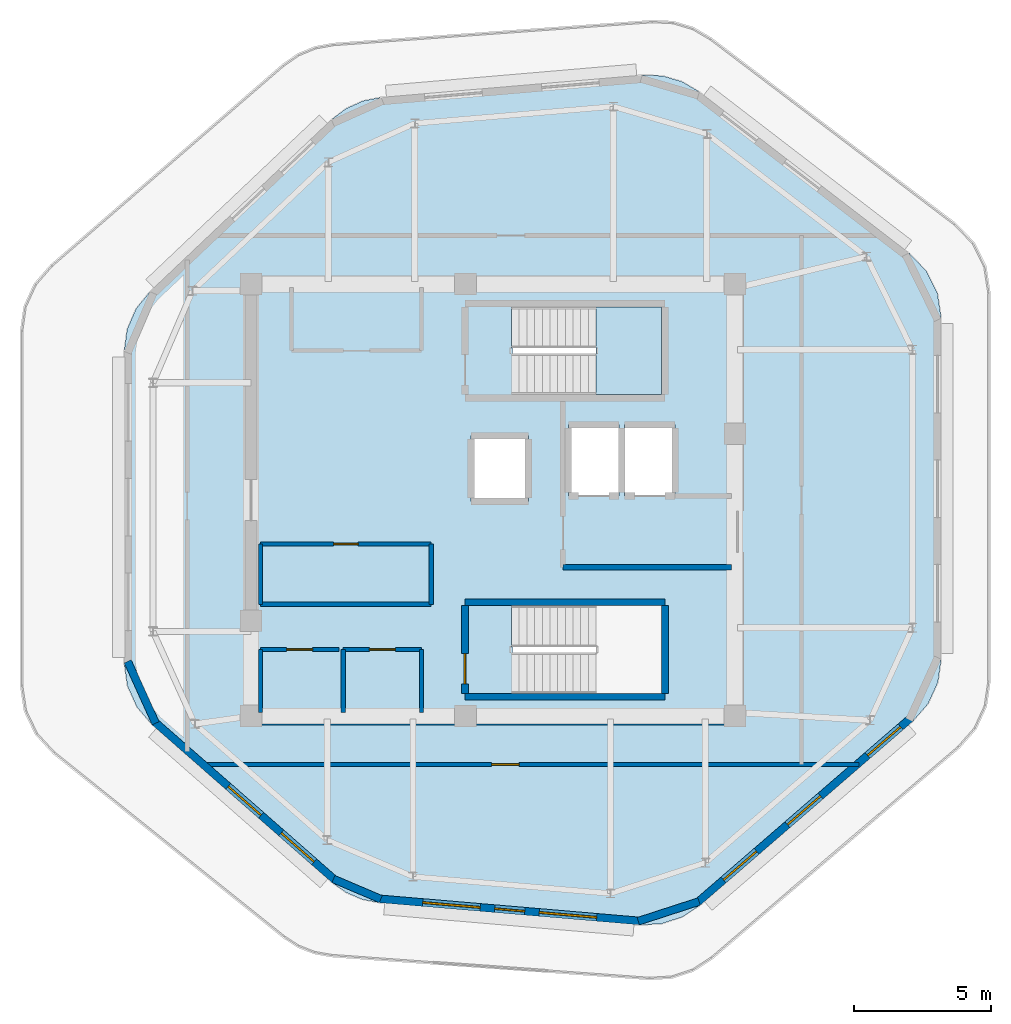
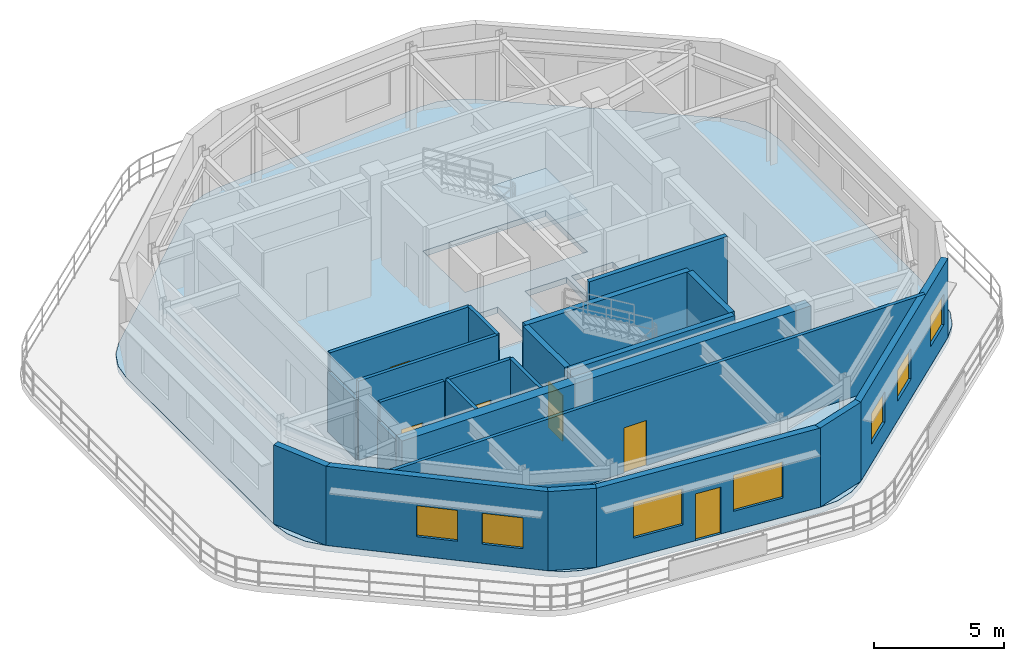
# One storey, part 2 of 7: 22 walls, 7 windows, 6 doors, 2 slabs, 13 openings, 1 element without a shape of its own.
"""IFC4 building model written with IfcOpenShell, lengths in metres."""

from ifc_helpers import new_model, si_unit, direction, frame, frame_2d, origin, place, context, subcontext, project, spatial, polyline, rectangle, outline, extrude, material, layer, layer_set, type_object, element, fill, aggregate, save


model = new_model("IFC4")

# Units and contexts
model_context = context("Model", 3, precision=1e-05, world=origin(), true_north=direction((0.0, 1.0)))
body_context = subcontext(model_context, "Body", "Model", "MODEL_VIEW")
ifc_project = project(units=[si_unit("LENGTHUNIT", "METRE"), si_unit("AREAUNIT", "SQUARE_METRE"), si_unit("VOLUMEUNIT", "CUBIC_METRE"), si_unit("PLANEANGLEUNIT", "RADIAN"), si_unit("MASSUNIT", "GRAM", prefix="KILO")], contexts=[model_context])

# Site, building, storey
site_placement = place(None, origin())
site = spatial("IfcSite", under=ifc_project, at=site_placement, CompositionType="ELEMENT")
building_placement = place(site_placement, origin())
building = spatial("IfcBuilding", under=site, at=building_placement, Name="Zulverin Broadcast Headquarters", CompositionType="ELEMENT")
storey_placement = place(building_placement, frame((0.0, 0.0, 329.39990234375)))
storey = spatial("IfcBuildingStorey", under=building, at=storey_placement, Name="C5", CompositionType="ELEMENT", Elevation=329.39990234375)

# Slab
ifc_material_1 = material(Name="Concrete C40/50", Category="concrete")
ifc_layer_1 = layer(ifc_material_1, 0.280029296875, Name="Concrete C40/50", Category="concrete")
ifc_layer_set_1 = layer_set([ifc_layer_1], Name="Concrete C40/50")
slab_type_1 = type_object("IfcSlabType", Name="SLB-CRN-280", PredefinedType="FLOOR", material=ifc_layer_set_1)
slab_1_placement = place(storey_placement, frame((0.0, 0.0, -0.27978515625)))
element("IfcSlab", 1, at=slab_1_placement, inside=storey, type_object=slab_type_1, Name="C5 Main Structural Floor Slab", PredefinedType="FLOOR", context=body_context, shape_type="SweptSolid", body=[
    extrude(outline(polyline([(33.57861328125, 11.25048828125), (34.0966796875, 10.885009765625), (34.68017578125, 10.63671875), (35.302490234375, 10.516357421875), (44.7958984375, 9.70751953125), (45.590576171875, 9.74560546875), (46.34716796875, 9.9912109375), (47.0126953125, 10.427001953125), (54.761962890625, 17.126708984375), (55.322509765625, 17.772216796875), (55.67822265625, 18.5498046875), (55.800048828125, 19.39599609375), (55.800048828125, 31.833984375), (55.661376953125, 32.7353515625), (55.25830078125, 33.553466796875), (54.6279296875, 34.212646484375), (46.97900390625, 40.0908203125), (46.342529296875, 40.465087890625), (45.634033203125, 40.6728515625), (44.896240234375, 40.701171875), (35.366455078125, 39.88916015625), (34.70751953125, 39.757568359375), (34.09423828125, 39.482421875), (33.5576171875, 39.07763671875), (26.9365234375, 32.803466796875), (26.42919921875, 32.172119140625), (26.109375, 31.42822265625), (26.0, 30.625732421875), (26.0, 19.2587890625), (26.119873046875, 18.419677734375), (26.469482421875, 17.6474609375), (27.021484375, 17.00390625), (33.57861328125, 11.25048828125)]), holes=[polyline([(40.155029296875, 30.75), (40.13037109375, 30.75), (40.13037109375, 32.25), (45.60009765625, 32.25), (45.60009765625, 29.050048828125), (40.155029296875, 29.050048828125), (40.155029296875, 30.75)]), polyline([(40.155029296875, 19.85009765625), (40.13037109375, 19.85009765625), (40.13037109375, 21.35009765625), (45.60009765625, 21.35009765625), (45.60009765625, 18.14990234375), (40.155029296875, 18.14990234375), (40.155029296875, 19.85009765625)]), polyline([(42.199951171875, 25.35009765625), (44.050048828125, 25.35009765625), (44.050048828125, 27.949951171875), (42.199951171875, 27.949951171875), (42.199951171875, 25.35009765625)]), polyline([(44.25, 25.35009765625), (46.10009765625, 25.35009765625), (46.10009765625, 27.949951171875), (44.25, 27.949951171875), (44.25, 25.35009765625)]), polyline([(38.64990234375, 25.14990234375), (40.75, 25.14990234375), (40.75, 27.550048828125), (38.64990234375, 27.550048828125), (38.64990234375, 25.14990234375)])]), origin(), (0.0, 0.0, 1.0), 0.27978515625),
])

# Stair, slab
stair_type = type_object("IfcStairType", Name="ST-CORE-1500", PredefinedType="HALF_TURN_STAIR", material=ifc_material_1)
stair_placement = place(storey_placement, origin())
stair = element("IfcStair", 2, at=stair_placement, inside=storey, type_object=stair_type, Name="C5 Core Exit Stair ST-1", PredefinedType="HALF_TURN_STAIR")
ifc_layer_2 = layer(ifc_material_1, 0.199951171875, Name="Concrete C40/50", Category="concrete")
ifc_layer_set_2 = layer_set([ifc_layer_2], Name="Concrete C40/50")
slab_type_2 = type_object("IfcSlabType", Name="SLB-ST-LND200", PredefinedType="LANDING", material=ifc_layer_set_2)
slab_2_placement = place(storey_placement, frame((0.0, 0.0, 1.800048828125)))
slab_2 = element("IfcSlab", 3, at=slab_2_placement, type_object=slab_type_2, Name="ST-1 landing 1", PredefinedType="LANDING", context=body_context, shape_type="SweptSolid", body=[
    extrude(outline(polyline([(43.2099609375, 29.050048828125), (45.60009765625, 29.050048828125), (45.60009765625, 32.25), (43.2099609375, 32.25), (43.2099609375, 29.050048828125)])), origin(), (0.0, 0.0, 1.0), 0.199951171875),
])
aggregate(stair, [slab_2])

# Wall
ifc_material_2 = material(Name="Concrete C50/60", Category="concrete")
ifc_layer_3 = layer(ifc_material_2, 0.449951171875, Name="Concrete C50/60", Category="concrete")
ifc_layer_set_3 = layer_set([ifc_layer_3], Name="Concrete C50/60")
wall_type_1 = type_object("IfcWallType", Name="WL-CORE-450", PredefinedType="SHEAR", material=ifc_layer_set_3)
wall_1_placement = place(storey_placement, frame((30.39990234375, 17.22509765625, 0.0), z_axis=(0.0, 0.0, 1.0), x_axis=(1.0, 0.0, 0.0)))
element("IfcWall", 4, at=wall_1_placement, inside=storey, type_object=wall_type_1, Name="C5 Core South Shear Wall", PredefinedType="SHEAR", context=body_context, shape_type="SweptSolid", body=[
    extrude(rectangle(XDim=18.2001953125, YDim=0.449951171875, at=frame_2d((9.10009765625, 0.0))), origin(), (0.0, 0.0, 1.0), 3.72021484375),
])

# Wall, openings, door, windows
ifc_material_3 = material(Name="Insulated pale-metal clad concrete spandrel C40/50", Category="concrete")
ifc_layer_4 = layer(ifc_material_3, 0.280029296875, Name="Insulated pale-metal clad concrete spandrel C40/50", Category="concrete")
ifc_layer_set_4 = layer_set([ifc_layer_4], Name="Insulated pale-metal clad concrete spandrel C40/50")
wall_type_2 = type_object("IfcWallType", Name="WL-EXT-280", PredefinedType="STANDARD", material=ifc_layer_set_4)
wall_2_placement = place(storey_placement, frame((35.314453125, 10.65576171875, 0.0), z_axis=(0.0, 0.0, 1.0), x_axis=(0.996390125679, -0.08489238746, 0.0)))
wall_2 = element("IfcWall", 5, at=wall_2_placement, inside=storey, type_object=wall_type_2, Name="C5 Pale-Metal Clad Spandrel Wall 1", PredefinedType="STANDARD", context=body_context, shape_type="SweptSolid", body=[
    extrude(rectangle(XDim=9.52783203125, YDim=0.280029296875, at=frame_2d((4.763916015625, 0.0))), origin(), (0.0, 0.0, 1.0), 3.72021484375),
])
opening_1_placement = place(wall_2_placement, frame((4.2138671875, 0.0, 0.0)))
opening_1 = element("IfcOpeningElement", 6, at=opening_1_placement, cuts=wall_2, Name="Opening D-C5-TR1", PredefinedType="OPENING", context=body_context, shape_type="SweptSolid", body=[
    extrude(rectangle(XDim=1.10009765625, YDim=2.199951171875, at=frame_2d((0.550048828125, 1.10009765625))), frame((0.0, 0.14990234375, 0.0), z_axis=(0.0, -1.0, 0.0), x_axis=(1.0, 0.0, 0.0)), (0.0, 0.0, 1.0), 0.300048828125),
])
opening_2_placement = place(wall_2_placement, frame((1.581787109375, 0.0, 0.89990234375)))
opening_2 = element("IfcOpeningElement", 7, at=opening_2_placement, cuts=wall_2, Name="Opening W-C5-E11", PredefinedType="OPENING", context=body_context, shape_type="SweptSolid", body=[
    extrude(rectangle(XDim=2.10009765625, YDim=1.699951171875, at=frame_2d((1.050048828125, 0.85009765625))), frame((0.0, 0.14990234375, 0.0), z_axis=(0.0, -1.0, 0.0), x_axis=(1.0, 0.0, 0.0)), (0.0, 0.0, 1.0), 0.300048828125),
])
opening_3_placement = place(wall_2_placement, frame((5.845703125, 0.0, 0.89990234375)))
opening_3 = element("IfcOpeningElement", 8, at=opening_3_placement, cuts=wall_2, Name="Opening W-C5-E12", PredefinedType="OPENING", context=body_context, shape_type="SweptSolid", body=[
    extrude(rectangle(XDim=2.10009765625, YDim=1.699951171875, at=frame_2d((1.050048828125, 0.85009765625))), frame((0.0, 0.14990234375, 0.0), z_axis=(0.0, -1.0, 0.0), x_axis=(1.0, 0.0, 0.0)), (0.0, 0.0, 1.0), 0.300048828125),
])
ifc_material_4 = material(Name="Thermally broken aluminium glazed", Category="aluminium")
door_type_1 = type_object("IfcDoorType", Name="DR-TERR-1100", OperationType="SINGLE_SWING_RIGHT", PredefinedType="DOOR", material=ifc_material_4)
door_1_placement = place(opening_1_placement, origin())
door_1 = element("IfcDoor", 9, at=door_1_placement, inside=storey, type_object=door_type_1, Name="C5 Planted Terrace Glazed Access Door 1", OperationType="SINGLE_SWING_RIGHT", OverallHeight=2.199951171875, OverallWidth=1.10009765625, PredefinedType="DOOR", context=body_context, shape_type="SweptSolid", body=[
    extrude(rectangle(XDim=1.10009765625, YDim=2.199951171875, at=frame_2d((0.550048828125, 1.10009765625))), frame((0.0, 0.02490234375, 0.0), z_axis=(0.0, -1.0, 0.0), x_axis=(1.0, 0.0, 0.0)), (0.0, 0.0, 1.0), 0.050048828125),
])
fill(opening_1, door_1)
ifc_material_5 = material(Name="Pale anodized aluminium frame with solar-control low-E double glazing", Category="aluminium")
window_type_1 = type_object("IfcWindowType", Name="WIN-CRN-2100", PartitioningType="SINGLE_PANEL", PredefinedType="WINDOW", material=ifc_material_5)
window_1_placement = place(opening_2_placement, origin())
window_1 = element("IfcWindow", 10, at=window_1_placement, inside=storey, type_object=window_type_1, Name="C5 Ribbon Glazing Window 1 1", OverallHeight=1.699951171875, OverallWidth=2.10009765625, PartitioningType="SINGLE_PANEL", PredefinedType="WINDOW", context=body_context, shape_type="SweptSolid", body=[
    extrude(rectangle(XDim=2.10009765625, YDim=1.699951171875, at=frame_2d((1.050048828125, 0.85009765625))), frame((0.0, 0.030029296875, 0.0), z_axis=(0.0, -1.0, 0.0), x_axis=(1.0, 0.0, 0.0)), (0.0, 0.0, 1.0), 0.06005859375),
])
fill(opening_2, window_1)
window_2_placement = place(opening_3_placement, origin())
window_2 = element("IfcWindow", 11, at=window_2_placement, inside=storey, type_object=window_type_1, Name="C5 Ribbon Glazing Window 1 2", OverallHeight=1.699951171875, OverallWidth=2.10009765625, PartitioningType="SINGLE_PANEL", PredefinedType="WINDOW", context=body_context, shape_type="SweptSolid", body=[
    extrude(rectangle(XDim=2.10009765625, YDim=1.699951171875, at=frame_2d((1.050048828125, 0.85009765625))), frame((0.0, 0.030029296875, 0.0), z_axis=(0.0, -1.0, 0.0), x_axis=(1.0, 0.0, 0.0)), (0.0, 0.0, 1.0), 0.06005859375),
])
fill(opening_3, window_2)

# Wall, openings, windows
wall_3_placement = place(storey_placement, frame((46.921142578125, 10.532958984375, 0.0), z_axis=(0.0, 0.0, 1.0), x_axis=(0.756489047049, 0.654006362121, 0.0)))
wall_3 = element("IfcWall", 12, at=wall_3_placement, inside=storey, type_object=wall_type_2, Name="C5 Pale-Metal Clad Spandrel Wall 2", PredefinedType="STANDARD", context=body_context, shape_type="SweptSolid", body=[
    extrude(rectangle(XDim=10.24365234375, YDim=0.280029296875, at=frame_2d((5.121826171875, 0.0))), origin(), (0.0, 0.0, 1.0), 3.72021484375),
])
opening_4_placement = place(wall_3_placement, frame((1.240478515625, 0.0, 0.89990234375)))
opening_4 = element("IfcOpeningElement", 13, at=opening_4_placement, cuts=wall_3, Name="Opening W-C5-E21", PredefinedType="OPENING", context=body_context, shape_type="SweptSolid", body=[
    extrude(rectangle(XDim=1.60009765625, YDim=1.449951171875, at=frame_2d((0.800048828125, 0.72509765625))), frame((0.0, 0.14990234375, 0.0), z_axis=(0.0, -1.0, 0.0), x_axis=(1.0, 0.0, 0.0)), (0.0, 0.0, 1.0), 0.300048828125),
])
opening_5_placement = place(wall_3_placement, frame((4.322021484375, 0.0, 0.89990234375)))
opening_5 = element("IfcOpeningElement", 14, at=opening_5_placement, cuts=wall_3, Name="Opening W-C5-E22", PredefinedType="OPENING", context=body_context, shape_type="SweptSolid", body=[
    extrude(rectangle(XDim=1.60009765625, YDim=1.449951171875, at=frame_2d((0.800048828125, 0.72509765625))), frame((0.0, 0.14990234375, 0.0), z_axis=(0.0, -1.0, 0.0), x_axis=(1.0, 0.0, 0.0)), (0.0, 0.0, 1.0), 0.300048828125),
])
opening_6_placement = place(wall_3_placement, frame((8.18310546875, 0.0, 0.89990234375)))
opening_6 = element("IfcOpeningElement", 15, at=opening_6_placement, cuts=wall_3, Name="Opening W-C5-E23", PredefinedType="OPENING", context=body_context, shape_type="SweptSolid", body=[
    extrude(rectangle(XDim=1.60009765625, YDim=1.449951171875, at=frame_2d((0.800048828125, 0.72509765625))), frame((0.0, 0.14990234375, 0.0), z_axis=(0.0, -1.0, 0.0), x_axis=(1.0, 0.0, 0.0)), (0.0, 0.0, 1.0), 0.300048828125),
])
window_type_2 = type_object("IfcWindowType", Name="WIN-CRN-1600", PartitioningType="SINGLE_PANEL", PredefinedType="WINDOW", material=ifc_material_5)
window_3_placement = place(opening_4_placement, origin())
window_3 = element("IfcWindow", 16, at=window_3_placement, inside=storey, type_object=window_type_2, Name="C5 Ribbon Glazing Window 2 1", OverallHeight=1.449951171875, OverallWidth=1.60009765625, PartitioningType="SINGLE_PANEL", PredefinedType="WINDOW", context=body_context, shape_type="SweptSolid", body=[
    extrude(rectangle(XDim=1.60009765625, YDim=1.449951171875, at=frame_2d((0.800048828125, 0.72509765625))), frame((0.0, 0.030029296875, 0.0), z_axis=(0.0, -1.0, 0.0), x_axis=(1.0, 0.0, 0.0)), (0.0, 0.0, 1.0), 0.06005859375),
])
fill(opening_4, window_3)
window_4_placement = place(opening_5_placement, origin())
window_4 = element("IfcWindow", 17, at=window_4_placement, inside=storey, type_object=window_type_2, Name="C5 Ribbon Glazing Window 2 2", OverallHeight=1.449951171875, OverallWidth=1.60009765625, PartitioningType="SINGLE_PANEL", PredefinedType="WINDOW", context=body_context, shape_type="SweptSolid", body=[
    extrude(rectangle(XDim=1.60009765625, YDim=1.449951171875, at=frame_2d((0.800048828125, 0.72509765625))), frame((0.0, 0.030029296875, 0.0), z_axis=(0.0, -1.0, 0.0), x_axis=(1.0, 0.0, 0.0)), (0.0, 0.0, 1.0), 0.06005859375),
])
fill(opening_5, window_4)
window_5_placement = place(opening_6_placement, origin())
window_5 = element("IfcWindow", 18, at=window_5_placement, inside=storey, type_object=window_type_2, Name="C5 Ribbon Glazing Window 2 3", OverallHeight=1.449951171875, OverallWidth=1.60009765625, PartitioningType="SINGLE_PANEL", PredefinedType="WINDOW", context=body_context, shape_type="SweptSolid", body=[
    extrude(rectangle(XDim=1.60009765625, YDim=1.449951171875, at=frame_2d((0.800048828125, 0.72509765625))), frame((0.0, 0.030029296875, 0.0), z_axis=(0.0, -1.0, 0.0), x_axis=(1.0, 0.0, 0.0)), (0.0, 0.0, 1.0), 0.06005859375),
])
fill(opening_6, window_5)

wall_4_placement = place(storey_placement, frame((27.11376953125, 17.10888671875, 0.0), z_axis=(0.0, 0.0, 1.0), x_axis=(0.751684867815, -0.659522448062, 0.0)))
wall_4 = element("IfcWall", 19, at=wall_4_placement, inside=storey, type_object=wall_type_2, Name="C5 Pale-Metal Clad Spandrel Wall 8", PredefinedType="STANDARD", context=body_context, shape_type="SweptSolid", body=[
    extrude(rectangle(XDim=8.72314453125, YDim=0.280029296875, at=frame_2d((4.361572265625, 0.0))), origin(), (0.0, 0.0, 1.0), 3.72021484375),
])
opening_7_placement = place(wall_4_placement, frame((3.561767578125, 0.0, 0.89990234375)))
opening_7 = element("IfcOpeningElement", 20, at=opening_7_placement, cuts=wall_4, Name="Opening W-C5-E81", PredefinedType="OPENING", context=body_context, shape_type="SweptSolid", body=[
    extrude(rectangle(XDim=1.60009765625, YDim=1.449951171875, at=frame_2d((0.800048828125, 0.72509765625))), frame((0.0, 0.14990234375, 0.0), z_axis=(0.0, -1.0, 0.0), x_axis=(1.0, 0.0, 0.0)), (0.0, 0.0, 1.0), 0.300048828125),
])
opening_8_placement = place(wall_4_placement, frame((6.13623046875, 0.0, 0.89990234375)))
opening_8 = element("IfcOpeningElement", 21, at=opening_8_placement, cuts=wall_4, Name="Opening W-C5-E82", PredefinedType="OPENING", context=body_context, shape_type="SweptSolid", body=[
    extrude(rectangle(XDim=1.60009765625, YDim=1.449951171875, at=frame_2d((0.800048828125, 0.72509765625))), frame((0.0, 0.14990234375, 0.0), z_axis=(0.0, -1.0, 0.0), x_axis=(1.0, 0.0, 0.0)), (0.0, 0.0, 1.0), 0.300048828125),
])
window_6_placement = place(opening_7_placement, origin())
window_6 = element("IfcWindow", 22, at=window_6_placement, inside=storey, type_object=window_type_2, Name="C5 Ribbon Glazing Window 8 1", OverallHeight=1.449951171875, OverallWidth=1.60009765625, PartitioningType="SINGLE_PANEL", PredefinedType="WINDOW", context=body_context, shape_type="SweptSolid", body=[
    extrude(rectangle(XDim=1.60009765625, YDim=1.449951171875, at=frame_2d((0.800048828125, 0.72509765625))), frame((0.0, 0.030029296875, 0.0), z_axis=(0.0, -1.0, 0.0), x_axis=(1.0, 0.0, 0.0)), (0.0, 0.0, 1.0), 0.06005859375),
])
fill(opening_7, window_6)
window_7_placement = place(opening_8_placement, origin())
window_7 = element("IfcWindow", 23, at=window_7_placement, inside=storey, type_object=window_type_2, Name="C5 Ribbon Glazing Window 8 2", OverallHeight=1.449951171875, OverallWidth=1.60009765625, PartitioningType="SINGLE_PANEL", PredefinedType="WINDOW", context=body_context, shape_type="SweptSolid", body=[
    extrude(rectangle(XDim=1.60009765625, YDim=1.449951171875, at=frame_2d((0.800048828125, 0.72509765625))), frame((0.0, 0.030029296875, 0.0), z_axis=(0.0, -1.0, 0.0), x_axis=(1.0, 0.0, 0.0)), (0.0, 0.0, 1.0), 0.06005859375),
])
fill(opening_8, window_7)

# Walls
wall_5_placement = place(storey_placement, frame((44.752685546875, 9.840576171875, 0.0), z_axis=(0.0, 0.0, 1.0), x_axis=(0.951126400132, 0.308801831232, 0.0)))
element("IfcWall", 24, at=wall_5_placement, inside=storey, type_object=wall_type_2, Name="C5 Wind-Shaped Corner Spandrel Wall 1-1", PredefinedType="STANDARD", context=body_context, shape_type="SweptSolid", body=[
    extrude(rectangle(XDim=2.330810546875, YDim=0.280029296875, at=frame_2d((1.16552734375, 0.0))), origin(), (0.0, 0.0, 1.0), 3.72021484375),
])
wall_6_placement = place(storey_placement, frame((26.12744140625, 19.316650390625, 0.0), z_axis=(0.0, 0.0, 1.0), x_axis=(0.412606370101, -0.910909426536, 0.0)))
element("IfcWall", 25, at=wall_6_placement, inside=storey, type_object=wall_type_2, Name="C5 Wind-Shaped Corner Spandrel Wall 7-1", PredefinedType="STANDARD", context=body_context, shape_type="SweptSolid", body=[
    extrude(rectangle(XDim=2.4755859375, YDim=0.280029296875, at=frame_2d((1.23779296875, 0.0))), origin(), (0.0, 0.0, 1.0), 3.72021484375),
])
wall_7_placement = place(storey_placement, frame((33.633544921875, 11.379150390625, 0.0), z_axis=(0.0, 0.0, 1.0), x_axis=(0.920045725698, -0.391811003707, 0.0)))
element("IfcWall", 26, at=wall_7_placement, inside=storey, type_object=wall_type_2, Name="C5 Wind-Shaped Corner Spandrel Wall 8-1", PredefinedType="STANDARD", context=body_context, shape_type="SweptSolid", body=[
    extrude(rectangle(XDim=1.873779296875, YDim=0.280029296875, at=frame_2d((0.93701171875, 0.0))), origin(), (0.0, 0.0, 1.0), 3.72021484375),
])
ifc_layer_5 = layer(ifc_material_1, 0.199951171875, Name="Concrete C40/50", Category="concrete")
ifc_layer_set_5 = layer_set([ifc_layer_5], Name="Concrete C40/50")
wall_type_3 = type_object("IfcWallType", Name="WL-FFL-200", PredefinedType="SOLIDWALL", material=ifc_layer_set_5)
wall_8_placement = place(storey_placement, frame((42.0, 22.75, 0.0), z_axis=(0.0, 0.0, 1.0), x_axis=(1.0, 0.0, 0.0)))
element("IfcWall", 27, at=wall_8_placement, inside=storey, type_object=wall_type_3, Name="C5 Firefighting Lift Lobby South Wall", PredefinedType="SOLIDWALL", context=body_context, shape_type="SweptSolid", body=[
    extrude(rectangle(XDim=6.14990234375, YDim=0.199951171875, at=frame_2d((3.074951171875, 0.0))), origin(), (0.0, 0.0, 1.0), 3.72021484375),
])

# Wall, opening, door
ifc_material_6 = material(Name="Fire-rated gypsum stud partition", Category="gypsum")
ifc_layer_6 = layer(ifc_material_6, 0.14990234375, Name="Fire-rated gypsum stud partition", Category="gypsum")
ifc_layer_set_6 = layer_set([ifc_layer_6], Name="Fire-rated gypsum stud partition")
wall_type_4 = type_object("IfcWallType", Name="WL-PART-150", PredefinedType="PARTITIONING", material=ifc_layer_set_6)
wall_9_placement = place(storey_placement, frame((30.969970703125, 19.75, 0.0), z_axis=(0.0, 0.0, 1.0), x_axis=(1.0, 0.0, 0.0)))
wall_9 = element("IfcWall", 28, at=wall_9_placement, inside=storey, type_object=wall_type_4, Name="C5 Core Male WC Front Wall", PredefinedType="PARTITIONING", context=body_context, shape_type="SweptSolid", body=[
    extrude(rectangle(XDim=2.860107421875, YDim=0.14990234375, at=frame_2d((1.43017578125, 0.0))), origin(), (0.0, 0.0, 1.0), 3.72021484375),
])
opening_9_placement = place(wall_9_placement, frame((0.955078125, 0.0, 0.0)))
opening_9 = element("IfcOpeningElement", 29, at=opening_9_placement, cuts=wall_9, Name="Opening D-C5-SC1", PredefinedType="OPENING", context=body_context, shape_type="SweptSolid", body=[
    extrude(rectangle(XDim=0.949951171875, YDim=2.10009765625, at=frame_2d((0.47509765625, 1.050048828125))), frame((0.0, 0.0849609375, 0.0), z_axis=(0.0, -1.0, 0.0), x_axis=(1.0, 0.0, 0.0)), (0.0, 0.0, 1.0), 0.169921875),
])
ifc_material_7 = material(Name="Fire-rated moisture-resistant laminate leaf", Category="wood")
door_type_2 = type_object("IfcDoorType", Name="DR-WC-950", OperationType="SINGLE_SWING_LEFT", PredefinedType="DOOR", material=ifc_material_7)
door_2_placement = place(opening_9_placement, origin())
door_2 = element("IfcDoor", 30, at=door_2_placement, inside=storey, type_object=door_type_2, Name="C5 Male WC Door", OperationType="SINGLE_SWING_LEFT", OverallHeight=2.10009765625, OverallWidth=0.949951171875, PredefinedType="DOOR", context=body_context, shape_type="SweptSolid", body=[
    extrude(rectangle(XDim=0.949951171875, YDim=2.10009765625, at=frame_2d((0.47509765625, 1.050048828125))), frame((0.0, 0.02490234375, 0.0), z_axis=(0.0, -1.0, 0.0), x_axis=(1.0, 0.0, 0.0)), (0.0, 0.0, 1.0), 0.050048828125),
])
fill(opening_9, door_2)

# Wall
wall_10_placement = place(storey_placement, frame((30.969970703125, 17.449951171875, 0.0), z_axis=(0.0, 0.0, 1.0), x_axis=(0.0, 1.0, 0.0)))
element("IfcWall", 31, at=wall_10_placement, inside=storey, type_object=wall_type_4, Name="C5 Core Male WC West Wall", PredefinedType="PARTITIONING", context=body_context, shape_type="SweptSolid", body=[
    extrude(rectangle(XDim=2.300048828125, YDim=0.14990234375, at=frame_2d((1.14990234375, 0.0))), origin(), (0.0, 0.0, 1.0), 2.820068359375),
])

# Wall, opening, door
wall_11_placement = place(storey_placement, frame((33.989990234375, 19.75, 0.0), z_axis=(0.0, 0.0, 1.0), x_axis=(1.0, 0.0, 0.0)))
wall_11 = element("IfcWall", 32, at=wall_11_placement, inside=storey, type_object=wall_type_4, Name="C5 Core Female WC Front Wall", PredefinedType="PARTITIONING", context=body_context, shape_type="SweptSolid", body=[
    extrude(rectangle(XDim=2.860107421875, YDim=0.14990234375, at=frame_2d((1.43017578125, 0.0))), origin(), (0.0, 0.0, 1.0), 3.72021484375),
])
opening_10_placement = place(wall_11_placement, frame((0.955078125, 0.0, 0.0)))
opening_10 = element("IfcOpeningElement", 33, at=opening_10_placement, cuts=wall_11, Name="Opening D-C5-SC2", PredefinedType="OPENING", context=body_context, shape_type="SweptSolid", body=[
    extrude(rectangle(XDim=0.949951171875, YDim=2.10009765625, at=frame_2d((0.47509765625, 1.050048828125))), frame((0.0, 0.0849609375, 0.0), z_axis=(0.0, -1.0, 0.0), x_axis=(1.0, 0.0, 0.0)), (0.0, 0.0, 1.0), 0.169921875),
])
door_3_placement = place(opening_10_placement, origin())
door_3 = element("IfcDoor", 34, at=door_3_placement, inside=storey, type_object=door_type_2, Name="C5 Female WC Door", OperationType="SINGLE_SWING_RIGHT", OverallHeight=2.10009765625, OverallWidth=0.949951171875, PredefinedType="DOOR", context=body_context, shape_type="SweptSolid", body=[
    extrude(rectangle(XDim=0.949951171875, YDim=2.10009765625, at=frame_2d((0.47509765625, 1.050048828125))), frame((0.0, 0.02490234375, 0.0), z_axis=(0.0, -1.0, 0.0), x_axis=(1.0, 0.0, 0.0)), (0.0, 0.0, 1.0), 0.050048828125),
])
fill(opening_10, door_3)

# Walls
for number, where, z_axis, x_axis, name in (
    (35, (33.989990234375, 17.449951171875, 0.0), (0.0, 0.0, 1.0), (0.0, 1.0, 0.0), "C5 Core Female WC West Wall"),
    (36, (36.85009765625, 17.449951171875, 0.0), (0.0, 0.0, 1.0), (0.0, 1.0, 0.0), "C5 Core Female WC East Wall"),
):
    element("IfcWall", number, at=place(storey_placement, frame(where, z_axis=z_axis, x_axis=x_axis)), inside=storey, type_object=wall_type_4, Name=name, PredefinedType="PARTITIONING", context=body_context, shape_type="SweptSolid", body=[
        extrude(rectangle(XDim=2.300048828125, YDim=0.14990234375, at=frame_2d((1.14990234375, 0.0))), origin(), (0.0, 0.0, 1.0), 3.72021484375),
    ])
wall_12_placement = place(storey_placement, frame((30.969970703125, 21.39990234375, 0.0), z_axis=(0.0, 0.0, 1.0), x_axis=(1.0, 0.0, 0.0)))
element("IfcWall", 37, at=wall_12_placement, inside=storey, type_object=wall_type_4, Name="C5 Optical Telemetry Hub Plant Room S Wall", PredefinedType="PARTITIONING", context=body_context, shape_type="SweptSolid", body=[
    extrude(rectangle(XDim=6.22998046875, YDim=0.14990234375, at=frame_2d((3.114990234375, 0.0))), origin(), (0.0, 0.0, 1.0), 3.72021484375),
])

# Wall, opening, door
wall_13_placement = place(storey_placement, frame((30.969970703125, 23.60009765625, 0.0), z_axis=(0.0, 0.0, 1.0), x_axis=(1.0, 0.0, 0.0)))
wall_13 = element("IfcWall", 38, at=wall_13_placement, inside=storey, type_object=wall_type_4, Name="C5 Optical Telemetry Hub Plant Room N Wall", PredefinedType="PARTITIONING", context=body_context, shape_type="SweptSolid", body=[
    extrude(rectangle(XDim=6.22998046875, YDim=0.14990234375, at=frame_2d((3.114990234375, 0.0))), origin(), (0.0, 0.0, 1.0), 3.72021484375),
])
opening_11_placement = place(wall_13_placement, frame((2.6650390625, 0.0, 0.0)))
opening_11 = element("IfcOpeningElement", 39, at=opening_11_placement, cuts=wall_13, Name="Opening D-C5-RM1", PredefinedType="OPENING", context=body_context, shape_type="SweptSolid", body=[
    extrude(rectangle(XDim=0.89990234375, YDim=2.10009765625, at=frame_2d((0.449951171875, 1.050048828125))), frame((0.0, 0.0849609375, 0.0), z_axis=(0.0, -1.0, 0.0), x_axis=(1.0, 0.0, 0.0)), (0.0, 0.0, 1.0), 0.169921875),
])
ifc_material_8 = material(Name="Powder-coated steel access leaf", Category="steel")
door_type_3 = type_object("IfcDoorType", Name="DR-RISER-900", OperationType="SINGLE_SWING_LEFT", PredefinedType="DOOR", material=ifc_material_8)
door_4_placement = place(opening_11_placement, origin())
door_4 = element("IfcDoor", 40, at=door_4_placement, inside=storey, type_object=door_type_3, Name="C5 Optical Telemetry Hub Plant Room Door", OperationType="SINGLE_SWING_LEFT", OverallHeight=2.10009765625, OverallWidth=0.89990234375, PredefinedType="DOOR", context=body_context, shape_type="SweptSolid", body=[
    extrude(rectangle(XDim=0.89990234375, YDim=2.10009765625, at=frame_2d((0.449951171875, 1.050048828125))), frame((0.0, 0.02490234375, 0.0), z_axis=(0.0, -1.0, 0.0), x_axis=(1.0, 0.0, 0.0)), (0.0, 0.0, 1.0), 0.050048828125),
])
fill(opening_11, door_4)

# Walls
wall_14_placement = place(storey_placement, frame((30.969970703125, 21.39990234375, 0.0), z_axis=(0.0, 0.0, 1.0), x_axis=(0.0, 1.0, 0.0)))
element("IfcWall", 41, at=wall_14_placement, inside=storey, type_object=wall_type_4, Name="C5 Optical Telemetry Hub Plant Room W Wall", PredefinedType="PARTITIONING", context=body_context, shape_type="SweptSolid", body=[
    extrude(rectangle(XDim=2.2001953125, YDim=0.14990234375, at=frame_2d((1.10009765625, 0.0))), origin(), (0.0, 0.0, 1.0), 2.820068359375),
])
wall_15_placement = place(storey_placement, frame((37.199951171875, 21.39990234375, 0.0), z_axis=(0.0, 0.0, 1.0), x_axis=(0.0, 1.0, 0.0)))
element("IfcWall", 42, at=wall_15_placement, inside=storey, type_object=wall_type_4, Name="C5 Optical Telemetry Hub Plant Room E Wall", PredefinedType="PARTITIONING", context=body_context, shape_type="SweptSolid", body=[
    extrude(rectangle(XDim=2.2001953125, YDim=0.14990234375, at=frame_2d((1.10009765625, 0.0))), origin(), (0.0, 0.0, 1.0), 3.72021484375),
])

# Wall, opening, door
wall_16_placement = place(storey_placement, frame((28.818359375, 15.550048828125, 0.0), z_axis=(0.0, 0.0, 1.0), x_axis=(1.0, 0.0, 0.0)))
wall_16 = element("IfcWall", 43, at=wall_16_placement, inside=storey, type_object=wall_type_4, Name="C5 Gallery Partition Wall CG-03", PredefinedType="PARTITIONING", context=body_context, shape_type="SweptSolid", body=[
    extrude(rectangle(XDim=23.97998046875, YDim=0.14990234375, at=frame_2d((11.989990234375, 0.0))), origin(), (0.0, 0.0, 1.0), 3.72021484375),
])
opening_12_placement = place(wall_16_placement, frame((10.583251953125, 0.0, 0.0)))
opening_12 = element("IfcOpeningElement", 44, at=opening_12_placement, cuts=wall_16, Name="Opening D-C5-CR4", PredefinedType="OPENING", context=body_context, shape_type="SweptSolid", body=[
    extrude(rectangle(XDim=1.0, YDim=2.1201171875, at=frame_2d((0.5, 1.06005859375))), frame((0.0, 0.0849609375, 0.0), z_axis=(0.0, -1.0, 0.0), x_axis=(1.0, 0.0, 0.0)), (0.0, 0.0, 1.0), 0.169921875),
])
ifc_material_9 = material(Name="Hardwood veneer acoustic leaf", Category="wood")
door_type_4 = type_object("IfcDoorType", Name="DR-OFF-1000", OperationType="SINGLE_SWING_LEFT", PredefinedType="DOOR", material=ifc_material_9)
door_5_placement = place(opening_12_placement, origin())
door_5 = element("IfcDoor", 45, at=door_5_placement, inside=storey, type_object=door_type_4, Name="C5 Microwave & Satellite Link Plant Room Door", OperationType="SINGLE_SWING_LEFT", OverallHeight=2.1201171875, OverallWidth=1.0, PredefinedType="DOOR", context=body_context, shape_type="SweptSolid", body=[
    extrude(rectangle(XDim=1.0, YDim=2.1201171875, at=frame_2d((0.5, 1.06005859375))), frame((0.0, 0.02490234375, 0.0), z_axis=(0.0, -1.0, 0.0), x_axis=(1.0, 0.0, 0.0)), (0.0, 0.0, 1.0), 0.050048828125),
])
fill(opening_12, door_5)

# Walls
ifc_layer_7 = layer(ifc_material_2, 0.25, Name="Concrete C50/60", Category="concrete")
ifc_layer_set_7 = layer_set([ifc_layer_7], Name="Concrete C50/60")
wall_type_5 = type_object("IfcWallType", Name="WL-SHAFT-250", PredefinedType="SHEAR", material=ifc_layer_set_7)
for number, where, z_axis, x_axis, name in (
    (46, (38.425048828125, 18.02490234375, 0.0), (0.0, 0.0, 1.0), (1.0, 0.0, 0.0), "C5 ST-2 Enclosure Wall S"),
    (47, (38.425048828125, 21.47509765625, 0.0), (0.0, 0.0, 1.0), (1.0, 0.0, 0.0), "C5 ST-2 Enclosure Wall N"),
):
    element("IfcWall", number, at=place(storey_placement, frame(where, z_axis=z_axis, x_axis=x_axis)), inside=storey, type_object=wall_type_5, Name=name, PredefinedType="SHEAR", context=body_context, shape_type="SweptSolid", body=[
        extrude(rectangle(XDim=7.300048828125, YDim=0.25, at=frame_2d((3.64990234375, 0.0))), origin(), (0.0, 0.0, 1.0), 3.72021484375),
    ])

# Wall, opening, door
wall_17_placement = place(storey_placement, frame((38.425048828125, 18.14990234375, 0.0), z_axis=(0.0, 0.0, 1.0), x_axis=(0.0, 1.0, 0.0)))
wall_17 = element("IfcWall", 48, at=wall_17_placement, inside=storey, type_object=wall_type_5, Name="C5 ST-2 Enclosure Wall W", PredefinedType="SHEAR", context=body_context, shape_type="SweptSolid", body=[
    extrude(rectangle(XDim=3.2001953125, YDim=0.25, at=frame_2d((1.60009765625, 0.0))), origin(), (0.0, 0.0, 1.0), 3.72021484375),
])
opening_13_placement = place(wall_17_placement, frame((0.35009765625, 0.0, 0.0)))
opening_13 = element("IfcOpeningElement", 49, at=opening_13_placement, cuts=wall_17, Name="Opening D-C5-ST-2", PredefinedType="OPENING", context=body_context, shape_type="SweptSolid", body=[
    extrude(rectangle(XDim=1.10009765625, YDim=2.14990234375, at=frame_2d((0.550048828125, 1.074951171875))), frame((0.0, 0.135009765625, 0.0), z_axis=(0.0, -1.0, 0.0), x_axis=(1.0, 0.0, 0.0)), (0.0, 0.0, 1.0), 0.27001953125),
])
ifc_material_10 = material(Name="Fire-rated steel leaf and frame", Category="steel")
door_type_5 = type_object("IfcDoorType", Name="DR-STAIR-1100", OperationType="SINGLE_SWING_LEFT", PredefinedType="DOOR", material=ifc_material_10)
door_6_placement = place(opening_13_placement, origin())
door_6 = element("IfcDoor", 50, at=door_6_placement, inside=storey, type_object=door_type_5, Name="C5 Exit Stair ST-2 Fire Door", OperationType="SINGLE_SWING_RIGHT", OverallHeight=2.14990234375, OverallWidth=1.10009765625, PredefinedType="DOOR", context=body_context, shape_type="SweptSolid", body=[
    extrude(rectangle(XDim=1.10009765625, YDim=2.14990234375, at=frame_2d((0.550048828125, 1.074951171875))), frame((0.0, 0.02490234375, 0.0), z_axis=(0.0, -1.0, 0.0), x_axis=(1.0, 0.0, 0.0)), (0.0, 0.0, 1.0), 0.050048828125),
])
fill(opening_13, door_6)

# Wall
wall_18_placement = place(storey_placement, frame((45.72509765625, 18.14990234375, 0.0), z_axis=(0.0, 0.0, 1.0), x_axis=(0.0, 1.0, 0.0)))
element("IfcWall", 51, at=wall_18_placement, inside=storey, type_object=wall_type_5, Name="C5 ST-2 Enclosure Wall E", PredefinedType="SHEAR", context=body_context, shape_type="SweptSolid", body=[
    extrude(rectangle(XDim=3.2001953125, YDim=0.25, at=frame_2d((1.60009765625, 0.0))), origin(), (0.0, 0.0, 1.0), 3.72021484375),
])

save(model, "model.ifc")
